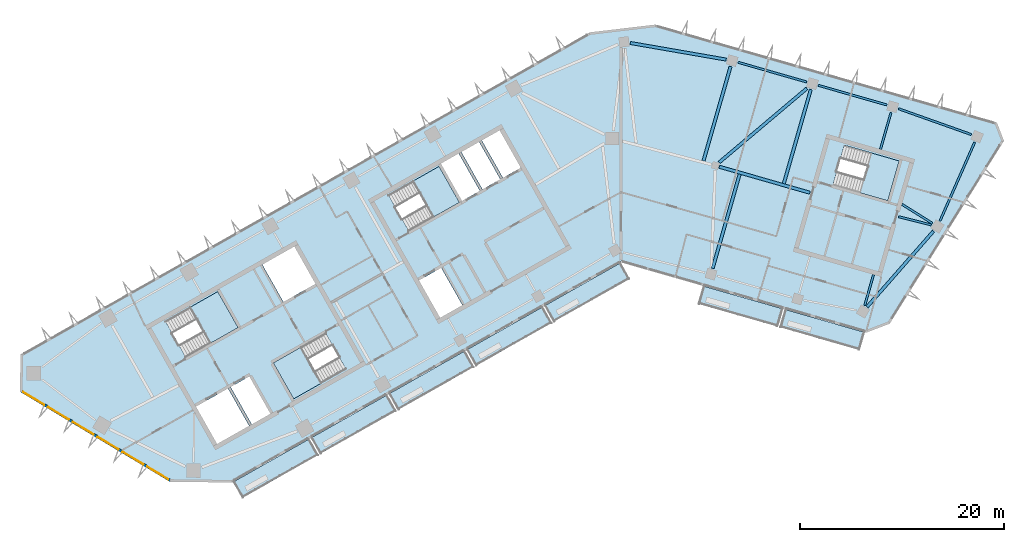
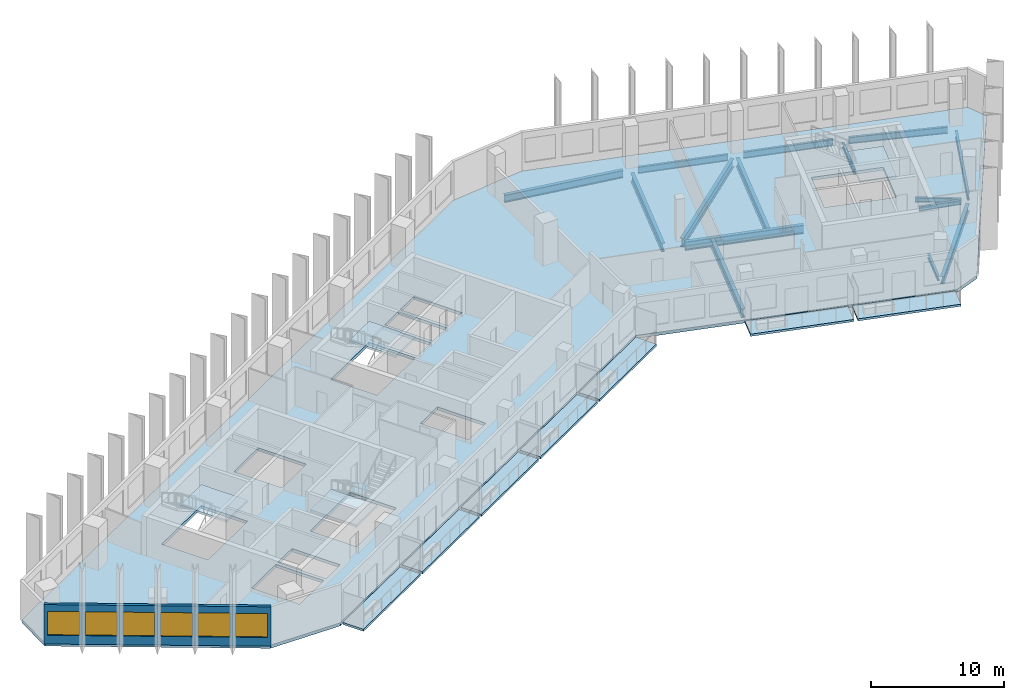
# One storey, part 2 of 11: 15 beams, 12 slabs, 6 windows, 1 wall, 6 openings, 4 elements without a shape of their own.
"""IFC4 building model written with IfcOpenShell, lengths in metres."""

from ifc_helpers import new_model, si_unit, direction, frame, frame_2d, origin, origin_2d, place, context, subcontext, project, spatial, polyline, rectangle, i_section, outline, extrude, material, layer, layer_set, material_profile, profile_set, type_object, element, fill, aggregate, save


model = new_model("IFC4")

# Units and contexts
model_context = context("Model", 3, precision=1e-05, world=origin(), true_north=direction((0.0, 1.0)))
body_context = subcontext(model_context, "Body", "Model", "MODEL_VIEW")
ifc_project = project(units=[si_unit("LENGTHUNIT", "METRE"), si_unit("AREAUNIT", "SQUARE_METRE"), si_unit("VOLUMEUNIT", "CUBIC_METRE"), si_unit("PLANEANGLEUNIT", "RADIAN"), si_unit("MASSUNIT", "GRAM", prefix="KILO")], contexts=[model_context])

# Site, building, storey
site_placement = place(None, origin())
site = spatial("IfcSite", under=ifc_project, at=site_placement, CompositionType="ELEMENT")
building_placement = place(site_placement, origin())
building = spatial("IfcBuilding", under=site, at=building_placement, Name="Binnacle Exchange Tower", CompositionType="ELEMENT")
storey_placement = place(building_placement, frame((0.0, 0.0, 207.5)))
storey = spatial("IfcBuildingStorey", under=building, at=storey_placement, Name="L45", CompositionType="ELEMENT", Elevation=207.5)

# Beams
ifc_material_1 = material(Name="Steel S355 (SHN355)", Category="steel")
ifc_material_profile_1 = material_profile(ifc_material_1, i_section(OverallWidth=0.199951171875, OverallDepth=0.60009765625, WebThickness=0.010986328125, FlangeThickness=0.01708984375, FilletRadius=0.02197265625, at=origin_2d()), Name="H 600x200x11x17")
ifc_profile_set_1 = profile_set([ifc_material_profile_1], Name="Steel S355 (SHN355)")
beam_type_1 = type_object("IfcBeamType", Name="Edge girder H 600x200x11x17 Steel S355 (SHN355)", PredefinedType="SPANDREL", material=ifc_profile_set_1)
for number, where, z_axis, x_axis, name in (
    (1, (18.16943359375, 65.54150390625, -0.580078125), (-0.961255274252, 0.275659749916, 0.0), (-0.275659749916, -0.961255274252, 0.0), "S:BM:edge:L45:029"),
    (2, (26.02587890625, 63.288818359375, -0.580078125), (-0.961267211469, 0.275618120149, 0.0), (-0.275618120149, -0.961267211469, 0.0), "S:BM:edge:L45:031"),
):
    element("IfcBeam", number, at=place(storey_placement, frame(where, z_axis=z_axis, x_axis=x_axis)), inside=storey, type_object=beam_type_1, Name=name, PredefinedType="SPANDREL", context=body_context, shape_type="SweptSolid", body=[
        extrude(i_section(OverallWidth=0.199951171875, OverallDepth=0.60009765625, WebThickness=0.010986328125, FlangeThickness=0.01708984375, FilletRadius=0.02197265625, at=origin_2d()), origin(), (0.0, 0.0, 1.0), 6.972900390625),
    ])
ifc_material_profile_2 = material_profile(ifc_material_1, i_section(OverallWidth=0.200927734375, OverallDepth=0.60595703125, WebThickness=0.011962890625, FlangeThickness=0.02001953125, FilletRadius=0.02197265625, at=origin_2d()), Name="H 606x201x12x20")
ifc_profile_set_2 = profile_set([ifc_material_profile_2], Name="Steel S355 (SHN355)")
beam_type_2 = type_object("IfcBeamType", Name="Edge girder H 606x201x12x20 Steel S355 (SHN355)", PredefinedType="SPANDREL", material=ifc_profile_set_2)
beam_1_placement = place(storey_placement, frame((34.30419921875, 60.38818359375, -0.5830078125), z_axis=(-0.942327723458, 0.334691591771, 0.0), x_axis=(-0.334691591771, -0.942327723458, 0.0)))
element("IfcBeam", 3, at=beam_1_placement, inside=storey, type_object=beam_type_2, Name="S:BM:edge:L45:033", PredefinedType="SPANDREL", context=body_context, shape_type="SweptSolid", body=[
    extrude(i_section(OverallWidth=0.200927734375, OverallDepth=0.60595703125, WebThickness=0.011962890625, FlangeThickness=0.02001953125, FilletRadius=0.02197265625, at=origin_2d()), origin(), (0.0, 0.0, 1.0), 7.57177734375),
])
ifc_material_profile_3 = material_profile(ifc_material_1, i_section(OverallWidth=0.201904296875, OverallDepth=0.612060546875, WebThickness=0.012939453125, FlangeThickness=0.02294921875, FilletRadius=0.02197265625, at=origin_2d()), Name="H 612x202x13x23")
ifc_profile_set_3 = profile_set([ifc_material_profile_3], Name="Steel S355 (SHN355)")
beam_type_3 = type_object("IfcBeamType", Name="Edge girder H 612x202x13x23 Steel S355 (SHN355)", PredefinedType="SPANDREL", material=ifc_profile_set_3)
beam_2_placement = place(storey_placement, frame((31.234130859375, 51.94091796875, -0.5859375), z_axis=(0.403470856186, 0.914992496258, 0.0), x_axis=(-0.914992496258, 0.403470856186, 0.0)))
element("IfcBeam", 4, at=beam_2_placement, inside=storey, type_object=beam_type_3, Name="S:BM:edge:L45:032", PredefinedType="SPANDREL", context=body_context, shape_type="SweptSolid", body=[
    extrude(i_section(OverallWidth=0.201904296875, OverallDepth=0.612060546875, WebThickness=0.012939453125, FlangeThickness=0.02294921875, FilletRadius=0.02197265625, at=origin_2d()), origin(), (0.0, 0.0, 1.0), 8.412109375),
])
ifc_material_profile_4 = material_profile(ifc_material_1, i_section(OverallWidth=0.300048828125, OverallDepth=0.699951171875, WebThickness=0.012939453125, FlangeThickness=0.02392578125, FilletRadius=0.028076171875, at=origin_2d()), Name="H 700x300x13x24")
ifc_profile_set_4 = profile_set([ifc_material_profile_4], Name="Steel S355 (SHN355)")
beam_type_4 = type_object("IfcBeamType", Name="Edge girder H 700x300x13x24 Steel S355 (SHN355)", PredefinedType="SPANDREL", material=ifc_profile_set_4)
beam_3_placement = place(storey_placement, frame((10.29541015625, 67.73193359375, -0.6298828125), z_axis=(-0.985309861954, 0.170776098841, 0.0), x_axis=(-0.170776098841, -0.985309861954, 0.0)))
element("IfcBeam", 5, at=beam_3_placement, inside=storey, type_object=beam_type_4, Name="S:BM:edge:L45:027", PredefinedType="SPANDREL", context=body_context, shape_type="SweptSolid", body=[
    extrude(i_section(OverallWidth=0.300048828125, OverallDepth=0.699951171875, WebThickness=0.012939453125, FlangeThickness=0.02392578125, FilletRadius=0.028076171875, at=origin_2d()), origin(), (0.0, 0.0, 1.0), 9.518310546875),
])
beam_4_placement = place(storey_placement, frame((24.09326171875, 43.5224609375, -0.6298828125), z_axis=(0.659335841855, 0.751848553663, 0.0), x_axis=(-0.751848553663, 0.659335841855, 0.0)))
element("IfcBeam", 6, at=beam_4_placement, inside=storey, type_object=beam_type_4, Name="S:BM:edge:L45:030", PredefinedType="SPANDREL", context=body_context, shape_type="SweptSolid", body=[
    extrude(i_section(OverallWidth=0.300048828125, OverallDepth=0.699951171875, WebThickness=0.012939453125, FlangeThickness=0.02392578125, FilletRadius=0.028076171875, at=origin_2d()), origin(), (0.0, 0.0, 1.0), 9.851318359375),
])
ifc_material_profile_5 = material_profile(ifc_material_1, i_section(OverallWidth=0.199951171875, OverallDepth=0.39990234375, WebThickness=0.008056640625, FlangeThickness=0.012939453125, FilletRadius=0.01611328125, at=origin_2d()), Name="H 400x200x8x13")
ifc_profile_set_5 = profile_set([ifc_material_profile_5], Name="Steel S355 (SHN355)")
beam_type_5 = type_object("IfcBeamType", Name="Floor beam H 400x200x8x13 Steel S355 (SHN355)", PredefinedType="BEAM", material=ifc_profile_set_5)
beam_5_placement = place(storey_placement, frame((23.860595703125, 43.6572265625, -0.47998046875), z_axis=(0.275637043779, 0.961261785414, 0.0), x_axis=(-0.961261785414, 0.275637043779, 0.0)))
element("IfcBeam", 7, at=beam_5_placement, inside=storey, type_object=beam_type_5, Name="S:BM:cross:L45:051", PredefinedType="BEAM", context=body_context, shape_type="SweptSolid", body=[
    extrude(i_section(OverallWidth=0.199951171875, OverallDepth=0.39990234375, WebThickness=0.008056640625, FlangeThickness=0.012939453125, FilletRadius=0.01611328125, at=origin_2d()), origin(), (0.0, 0.0, 1.0), 3.1328125),
])
beam_6_placement = place(storey_placement, frame((30.480712890625, 51.704345703125, -0.47998046875), z_axis=(-0.848084620748, 0.529860808186, 0.0), x_axis=(-0.529860808186, -0.848084620748, 0.0)))
element("IfcBeam", 8, at=beam_6_placement, inside=storey, type_object=beam_type_5, Name="S:BM:cross:L45:053", PredefinedType="BEAM", context=body_context, shape_type="SweptSolid", body=[
    extrude(i_section(OverallWidth=0.199951171875, OverallDepth=0.39990234375, WebThickness=0.008056640625, FlangeThickness=0.012939453125, FilletRadius=0.01611328125, at=origin_2d()), origin(), (0.0, 0.0, 1.0), 3.495361328125),
])
ifc_material_profile_6 = material_profile(ifc_material_1, i_section(OverallWidth=0.199951171875, OverallDepth=0.449951171875, WebThickness=0.009033203125, FlangeThickness=0.013916015625, FilletRadius=0.01806640625, at=origin_2d()), Name="H 450x200x9x14")
ifc_profile_set_6 = profile_set([ifc_material_profile_6], Name="Steel S355 (SHN355)")
beam_type_6 = type_object("IfcBeamType", Name="Floor beam H 450x200x9x14 Steel S355 (SHN355)", PredefinedType="BEAM", material=ifc_profile_set_6)
beam_7_placement = place(storey_placement, frame((26.437255859375, 62.546630859375, -0.5048828125), z_axis=(-0.275644746045, -0.961259576794, 0.0), x_axis=(0.961259576794, -0.275644746045, 0.0)))
element("IfcBeam", 9, at=beam_7_placement, inside=storey, type_object=beam_type_6, Name="S:BM:cross:L45:052", PredefinedType="BEAM", context=body_context, shape_type="SweptSolid", body=[
    extrude(i_section(OverallWidth=0.199951171875, OverallDepth=0.449951171875, WebThickness=0.009033203125, FlangeThickness=0.013916015625, FilletRadius=0.01806640625, at=origin_2d()), origin(), (0.0, 0.0, 1.0), 3.735107421875),
])
ifc_material_profile_7 = material_profile(ifc_material_1, i_section(OverallWidth=0.300048828125, OverallDepth=0.800048828125, WebThickness=0.013916015625, FlangeThickness=0.02587890625, FilletRadius=0.028076171875, at=origin_2d()), Name="H 800x300x14x26")
ifc_profile_set_7 = profile_set([ifc_material_profile_7], Name="Steel S355 (SHN355)")
beam_type_7 = type_object("IfcBeamType", Name="Floor beam H 800x300x14x26 Steel S355 (SHN355)", PredefinedType="BEAM", material=ifc_profile_set_7)
beam_8_placement = place(storey_placement, frame((8.974853515625, 47.299072265625, -0.679931640625), z_axis=(0.275642748758, 0.961260149521, 0.0), x_axis=(-0.961260149521, 0.275642748758, 0.0)))
element("IfcBeam", 10, at=beam_8_placement, inside=storey, type_object=beam_type_7, Name="S:BM:cross:L45:047", PredefinedType="BEAM", context=body_context, shape_type="SweptSolid", body=[
    extrude(i_section(OverallWidth=0.300048828125, OverallDepth=0.800048828125, WebThickness=0.013916015625, FlangeThickness=0.02587890625, FilletRadius=0.028076171875, at=origin_2d()), origin(), (0.0, 0.0, 1.0), 9.585205078125),
])
beam_9_placement = place(storey_placement, frame((10.724609375, 67.05224609375, -0.679931640625), z_axis=(-0.275623285325, -0.961265730475, 0.0), x_axis=(0.961265730475, -0.275623285325, 0.0)))
element("IfcBeam", 11, at=beam_9_placement, inside=storey, type_object=beam_type_7, Name="S:BM:cross:L45:048", PredefinedType="BEAM", context=body_context, shape_type="SweptSolid", body=[
    extrude(i_section(OverallWidth=0.300048828125, OverallDepth=0.800048828125, WebThickness=0.013916015625, FlangeThickness=0.02587890625, FilletRadius=0.028076171875, at=origin_2d()), origin(), (0.0, 0.0, 1.0), 9.61328125),
])
beam_10_placement = place(storey_placement, frame((18.580810546875, 64.79931640625, -0.679931640625), z_axis=(-0.275625961623, -0.961264963098, 0.0), x_axis=(0.961264963098, -0.275625961623, 0.0)))
element("IfcBeam", 12, at=beam_10_placement, inside=storey, type_object=beam_type_7, Name="S:BM:cross:L45:050", PredefinedType="BEAM", context=body_context, shape_type="SweptSolid", body=[
    extrude(i_section(OverallWidth=0.300048828125, OverallDepth=0.800048828125, WebThickness=0.013916015625, FlangeThickness=0.02587890625, FilletRadius=0.028076171875, at=origin_2d()), origin(), (0.0, 0.0, 1.0), 9.5849609375),
])
ifc_material_profile_8 = material_profile(ifc_material_1, i_section(OverallWidth=0.199951171875, OverallDepth=0.39990234375, WebThickness=0.008056640625, FlangeThickness=0.012939453125, FilletRadius=0.01611328125, at=origin_2d()), Name="H 400x200x8x13")
ifc_profile_set_8 = profile_set([ifc_material_profile_8], Name="Steel S355 (SHN355)")
beam_type_8 = type_object("IfcBeamType", Name="Spine girder H 400x200x8x13 Steel S355 (SHN355)", PredefinedType="BEAM", material=ifc_profile_set_8)
beam_11_placement = place(storey_placement, frame((27.17138671875, 52.35400390625, -0.47998046875), z_axis=(0.969342999561, -0.245711516217, 0.0), x_axis=(0.245711516217, 0.969342999561, 0.0)))
element("IfcBeam", 13, at=beam_11_placement, inside=storey, type_object=beam_type_8, Name="S:BM:spine:L45:010", PredefinedType="BEAM", context=body_context, shape_type="SweptSolid", body=[
    extrude(i_section(OverallWidth=0.199951171875, OverallDepth=0.39990234375, WebThickness=0.008056640625, FlangeThickness=0.012939453125, FilletRadius=0.01611328125, at=origin_2d()), origin(), (0.0, 0.0, 1.0), 3.30859375),
])
ifc_material_profile_9 = material_profile(ifc_material_1, i_section(OverallWidth=0.300048828125, OverallDepth=0.800048828125, WebThickness=0.013916015625, FlangeThickness=0.02587890625, FilletRadius=0.028076171875, at=origin_2d()), Name="H 800x300x14x26")
ifc_profile_set_9 = profile_set([ifc_material_profile_9], Name="Steel S355 (SHN355)")
beam_type_9 = type_object("IfcBeamType", Name="Spine girder H 800x300x14x26 Steel S355 (SHN355)", PredefinedType="BEAM", material=ifc_profile_set_9)
beam_12_placement = place(storey_placement, frame((9.62548828125, 57.239990234375, -0.679931640625), z_axis=(0.961259511383, -0.275644974153, 0.0), x_axis=(0.275644974153, 0.961259511383, 0.0)))
element("IfcBeam", 14, at=beam_12_placement, inside=storey, type_object=beam_type_9, Name="S:BM:spine:L45:009", PredefinedType="BEAM", context=body_context, shape_type="SweptSolid", body=[
    extrude(i_section(OverallWidth=0.300048828125, OverallDepth=0.800048828125, WebThickness=0.013916015625, FlangeThickness=0.02587890625, FilletRadius=0.028076171875, at=origin_2d()), origin(), (0.0, 0.0, 1.0), 9.213134765625),
])
ifc_material_profile_10 = material_profile(ifc_material_1, i_section(OverallWidth=0.302001953125, OverallDepth=0.80810546875, WebThickness=0.01611328125, FlangeThickness=0.030029296875, FilletRadius=0.028076171875, at=origin_2d()), Name="H 808x302x16x30")
ifc_profile_set_10 = profile_set([ifc_material_profile_10], Name="Steel S355 (SHN355)")
beam_type_10 = type_object("IfcBeamType", Name="Spine girder H 808x302x16x30 Steel S355 (SHN355)", PredefinedType="BEAM", material=ifc_profile_set_10)
beam_13_placement = place(storey_placement, frame((9.60888671875, 57.660888671875, -0.68408203125), z_axis=(0.764057522707, 0.645148124073, 0.0), x_axis=(-0.645148124073, 0.764057522707, 0.0)))
element("IfcBeam", 15, at=beam_13_placement, inside=storey, type_object=beam_type_10, Name="S:BM:spine:L45:008", PredefinedType="BEAM", context=body_context, shape_type="SweptSolid", body=[
    extrude(i_section(OverallWidth=0.302001953125, OverallDepth=0.80810546875, WebThickness=0.01611328125, FlangeThickness=0.030029296875, FilletRadius=0.028076171875, at=origin_2d()), origin(), (0.0, 0.0, 1.0), 11.237060546875),
])

# Slabs
ifc_material_2 = material(Name="Concrete C35/45", Category="concrete")
ifc_layer_1 = layer(ifc_material_2, 0.199951171875)
ifc_layer_set_1 = layer_set([ifc_layer_1], Name="BALCONY SLAB 200")
slab_type_1 = type_object("IfcSlabType", Name="BALCONY SLAB 200", PredefinedType="FLOOR", material=ifc_layer_set_1)
slab_1_placement = place(storey_placement, frame((0.0, 0.0, -0.199951171875)))
element("IfcSlab", 16, at=slab_1_placement, inside=storey, type_object=slab_type_1, Name="Balcony BA-G01-00 L45", PredefinedType="FLOOR", context=body_context, shape_type="SweptSolid", body=[
    extrude(outline(polyline([(-37.90576171875, 26.410400390625), (-30.54736328125, 30.573486328125), (-29.660888671875, 29.0068359375), (-37.019287109375, 24.84375), (-37.90576171875, 26.410400390625)])), origin(), (0.0, 0.0, 1.0), 0.199951171875),
])
slab_2_placement = place(storey_placement, frame((0.0, 0.0, -0.199951171875)))
element("IfcSlab", 17, at=slab_2_placement, inside=storey, type_object=slab_type_1, Name="Balcony BA-G01-01 L45", PredefinedType="FLOOR", context=body_context, shape_type="SweptSolid", body=[
    extrude(outline(polyline([(-30.2861328125, 30.72119140625), (-22.927734375, 34.884521484375), (-22.041259765625, 33.31787109375), (-29.39990234375, 29.15478515625), (-30.2861328125, 30.72119140625)])), origin(), (0.0, 0.0, 1.0), 0.199951171875),
])
slab_3_placement = place(storey_placement, frame((0.0, 0.0, -0.199951171875)))
element("IfcSlab", 18, at=slab_3_placement, inside=storey, type_object=slab_type_1, Name="Balcony BA-G01-02 L45", PredefinedType="FLOOR", context=body_context, shape_type="SweptSolid", body=[
    extrude(outline(polyline([(-22.66650390625, 35.0322265625), (-15.30810546875, 39.195556640625), (-14.421875, 37.62890625), (-21.7802734375, 33.465576171875), (-22.66650390625, 35.0322265625)])), origin(), (0.0, 0.0, 1.0), 0.199951171875),
])
slab_4_placement = place(storey_placement, frame((0.0, 0.0, -0.199951171875)))
element("IfcSlab", 19, at=slab_4_placement, inside=storey, type_object=slab_type_1, Name="Balcony BA-G01-03 L45", PredefinedType="FLOOR", context=body_context, shape_type="SweptSolid", body=[
    extrude(outline(polyline([(-15.047119140625, 39.34326171875), (-7.6884765625, 43.50634765625), (-6.802001953125, 41.939697265625), (-14.16064453125, 37.776611328125), (-15.047119140625, 39.34326171875)])), origin(), (0.0, 0.0, 1.0), 0.199951171875),
])
slab_5_placement = place(storey_placement, frame((0.0, 0.0, -0.199951171875)))
element("IfcSlab", 20, at=slab_5_placement, inside=storey, type_object=slab_type_1, Name="Balcony BA-G01-04 L45", PredefinedType="FLOOR", context=body_context, shape_type="SweptSolid", body=[
    extrude(outline(polyline([(-7.427490234375, 43.654296875), (-0.069091796875, 47.8173828125), (0.8173828125, 46.250732421875), (-6.541015625, 42.08740234375), (-7.427490234375, 43.654296875)])), origin(), (0.0, 0.0, 1.0), 0.199951171875),
])
slab_6_placement = place(storey_placement, frame((0.0, 0.0, -0.199951171875)))
element("IfcSlab", 21, at=slab_6_placement, inside=storey, type_object=slab_type_1, Name="Balcony BA-G02-01 L45", PredefinedType="FLOOR", context=body_context, shape_type="SweptSolid", body=[
    extrude(outline(polyline([(8.10791015625, 45.545166015625), (15.8173828125, 43.33447265625), (15.3212890625, 41.60400390625), (7.61181640625, 43.814697265625), (8.10791015625, 45.545166015625)])), origin(), (0.0, 0.0, 1.0), 0.199951171875),
])
slab_7_placement = place(storey_placement, frame((0.0, 0.0, -0.199951171875)))
element("IfcSlab", 22, at=slab_7_placement, inside=storey, type_object=slab_type_1, Name="Balcony BA-G02-02 L45", PredefinedType="FLOOR", context=body_context, shape_type="SweptSolid", body=[
    extrude(outline(polyline([(16.10595703125, 43.251708984375), (23.815673828125, 41.041015625), (23.319580078125, 39.310791015625), (15.60986328125, 41.521484375), (16.10595703125, 43.251708984375)])), origin(), (0.0, 0.0, 1.0), 0.199951171875),
])
ifc_layer_2 = layer(ifc_material_2, 0.280029296875)
ifc_layer_set_2 = layer_set([ifc_layer_2], Name="Floor slab 280 Concrete C35/45")
slab_type_2 = type_object("IfcSlabType", Name="Floor slab 280 Concrete C35/45", PredefinedType="FLOOR", material=ifc_layer_set_2)
slab_8_placement = place(storey_placement, frame((0.0, 0.0, -0.280029296875)))
element("IfcSlab", 23, at=slab_8_placement, inside=storey, type_object=slab_type_2, Name="S:SL:L45:01", PredefinedType="FLOOR", context=body_context, shape_type="SweptSolid", body=[
    extrude(outline(polyline([(-58.716064453125, 35.280029296875), (-58.669921875, 38.80615234375), (-3.046142578125, 70.276611328125), (3.364501953125, 71.035400390625), (36.71240234375, 61.472900390625), (37.359375, 59.787353515625), (26.23095703125, 41.978515625), (23.994140625, 41.119873046875), (0.0, 48.0), (-38.097900390625, 26.4453125), (-44.14404296875, 26.5244140625), (-58.716064453125, 35.280029296875)]), holes=[polyline([(-38.4794921875, 35.529296875), (-41.61279296875, 33.756591796875), (-39.544677734375, 30.10107421875), (-36.411376953125, 31.873779296875), (-38.4794921875, 35.529296875)]), polyline([(-36.390625, 36.711181640625), (-38.21826171875, 35.677001953125), (-36.150146484375, 32.021484375), (-34.322509765625, 33.0556640625), (-36.390625, 36.711181640625)]), polyline([(-32.04638671875, 34.515625), (-26.9287109375, 37.4111328125), (-28.923095703125, 40.93603515625), (-34.040771484375, 38.04052734375), (-32.04638671875, 34.515625)]), polyline([(-37.486572265625, 41.4912109375), (-39.480712890625, 45.01611328125), (-44.598388671875, 42.12060546875), (-42.604248046875, 38.595703125), (-37.486572265625, 41.4912109375)]), polyline([(-29.914306640625, 45.775390625), (-31.982666015625, 49.430908203125), (-35.115966796875, 47.657958984375), (-33.047607421875, 44.00244140625), (-29.914306640625, 45.775390625)]), polyline([(-17.81689453125, 57.27294921875), (-22.760498046875, 54.47607421875), (-20.76611328125, 50.950927734375), (-15.822509765625, 53.748046875), (-17.81689453125, 57.27294921875)]), polyline([(-15.53076171875, 43.6875), (-17.598876953125, 47.343017578125), (-19.77490234375, 46.11181640625), (-17.70654296875, 42.456298828125), (-15.53076171875, 43.6875)]), polyline([(-13.82080078125, 54.880615234375), (-15.888916015625, 58.5361328125), (-17.629638671875, 57.55126953125), (-15.5615234375, 53.895751953125), (-13.82080078125, 54.880615234375)]), polyline([(27.227783203125, 57.810302734375), (21.864013671875, 59.348388671875), (20.74755859375, 55.455078125), (26.111328125, 53.9169921875), (27.227783203125, 57.810302734375)]), polyline([(-11.819091796875, 56.01318359375), (-13.88720703125, 59.668701171875), (-15.6279296875, 58.683837890625), (-13.559814453125, 55.0283203125), (-11.819091796875, 56.01318359375)]), polyline([(-9.817138671875, 57.145751953125), (-11.885498046875, 60.80126953125), (-13.626220703125, 59.81640625), (-11.557861328125, 56.160888671875), (-9.817138671875, 57.145751953125)])]), origin(), (0.0, 0.0, 1.0), 0.280029296875),
])

# Stair, slab
stair_type = type_object("IfcStairType", Name="STAIR 22 RISERS 177", PredefinedType="HALF_TURN_STAIR", material=ifc_material_2)
stair_1_placement = place(storey_placement, origin())
stair_1 = element("IfcStair", 24, at=stair_1_placement, inside=storey, type_object=stair_type, Name="L45 Escape stair A1", PredefinedType="HALF_TURN_STAIR")
ifc_layer_3 = layer(ifc_material_2, 0.199951171875)
ifc_layer_set_3 = layer_set([ifc_layer_3], Name="STAIR LANDING 200")
slab_type_3 = type_object("IfcSlabType", Name="STAIR LANDING 200", PredefinedType="LANDING", material=ifc_layer_set_3)
slab_9_placement = place(storey_placement, frame((0.0, 0.0, 1.75)))
slab_9 = element("IfcSlab", 25, at=slab_9_placement, type_object=slab_type_3, Name="STA1 landing 1", PredefinedType="LANDING", context=body_context, shape_type="SweptSolid", body=[
    extrude(outline(polyline([(-40.2021484375, 39.954833984375), (-37.486572265625, 41.4912109375), (-39.48095703125, 45.01611328125), (-42.1962890625, 43.479736328125), (-40.2021484375, 39.954833984375)])), origin(), (0.0, 0.0, 1.0), 0.199951171875),
])
aggregate(stair_1, [slab_9])

stair_2_placement = place(storey_placement, origin())
stair_2 = element("IfcStair", 26, at=stair_2_placement, inside=storey, type_object=stair_type, Name="L45 Escape stair A2", PredefinedType="HALF_TURN_STAIR")
slab_10_placement = place(storey_placement, frame((0.0, 0.0, 1.75)))
slab_10 = element("IfcSlab", 27, at=slab_10_placement, type_object=slab_type_3, Name="STA2 landing 1", PredefinedType="LANDING", context=body_context, shape_type="SweptSolid", body=[
    extrude(outline(polyline([(-31.3251953125, 39.576904296875), (-34.040771484375, 38.04052734375), (-32.04638671875, 34.515625), (-29.330810546875, 36.052001953125), (-31.3251953125, 39.576904296875)])), origin(), (0.0, 0.0, 1.0), 0.199951171875),
])
aggregate(stair_2, [slab_10])

stair_3_placement = place(storey_placement, origin())
stair_3 = element("IfcStair", 28, at=stair_3_placement, inside=storey, type_object=stair_type, Name="L45 Escape stair C1", PredefinedType="HALF_TURN_STAIR")
slab_11_placement = place(storey_placement, frame((0.0, 0.0, 1.75)))
slab_11 = element("IfcSlab", 29, at=slab_11_placement, type_object=slab_type_3, Name="STC1 landing 1", PredefinedType="LANDING", context=body_context, shape_type="SweptSolid", body=[
    extrude(outline(polyline([(-18.364013671875, 52.31005859375), (-15.822509765625, 53.748046875), (-17.81689453125, 57.27294921875), (-20.3583984375, 55.8349609375), (-18.364013671875, 52.31005859375)])), origin(), (0.0, 0.0, 1.0), 0.199951171875),
])
aggregate(stair_3, [slab_11])

stair_4_placement = place(storey_placement, origin())
stair_4 = element("IfcStair", 30, at=stair_4_placement, inside=storey, type_object=stair_type, Name="L45 Escape stair D1", PredefinedType="HALF_TURN_STAIR")
slab_12_placement = place(storey_placement, frame((0.0, 0.0, 1.75)))
slab_12 = element("IfcSlab", 31, at=slab_12_placement, type_object=slab_type_3, Name="STD1 landing 1", PredefinedType="LANDING", context=body_context, shape_type="SweptSolid", body=[
    extrude(outline(polyline([(23.400634765625, 54.6943359375), (26.111328125, 53.917236328125), (27.227783203125, 57.810302734375), (24.516845703125, 58.587646484375), (23.400634765625, 54.6943359375)])), origin(), (0.0, 0.0, 1.0), 0.199951171875),
])
aggregate(stair_4, [slab_12])

# Wall, openings, windows
ifc_material_3 = material(Name="Bronze aluminium cladding", Category="aluminium")
ifc_layer_4 = layer(ifc_material_3, 0.25)
ifc_layer_set_4 = layer_set([ifc_layer_4], Name="External wall - window wall 250")
wall_type = type_object("IfcWallType", Name="External wall - window wall 250", PredefinedType="STANDARD", material=ifc_layer_set_4)
wall_placement = place(storey_placement, frame((-44.115234375, 26.507080078125, 0.0), z_axis=(0.0, 0.0, 1.0), x_axis=(-0.857166583633, 0.515039268311, 0.0)))
wall = element("IfcWall", 32, at=wall_placement, inside=storey, type_object=wall_type, Name="External wall EW-G10 L45", PredefinedType="STANDARD", context=body_context, shape_type="SweptSolid", body=[
    extrude(rectangle(XDim=17.105712890625, YDim=0.25, at=frame_2d((8.552734375, 0.0))), origin(), (0.0, 0.0, 1.0), 3.6201171875),
])
opening_1_placement = place(wall_placement, frame((14.4169921875, 0.0, 0.800048828125)))
opening_1 = element("IfcOpeningElement", 33, at=opening_1_placement, cuts=wall, Name="Opening WR1", PredefinedType="OPENING", context=body_context, shape_type="SweptSolid", body=[
    extrude(rectangle(XDim=2.39990234375, YDim=2.199951171875, at=frame_2d((1.199951171875, 1.10009765625))), frame((0.0, 0.135009765625, 0.0), z_axis=(0.0, -1.0, 0.0), x_axis=(1.0, 0.0, 0.0)), (0.0, 0.0, 1.0), 0.27001953125),
])
opening_2_placement = place(wall_placement, frame((11.583740234375, 0.0, 0.800048828125)))
opening_2 = element("IfcOpeningElement", 34, at=opening_2_placement, cuts=wall, Name="Opening WR1", PredefinedType="OPENING", context=body_context, shape_type="SweptSolid", body=[
    extrude(rectangle(XDim=2.39990234375, YDim=2.199951171875, at=frame_2d((1.199951171875, 1.10009765625))), frame((0.0, 0.135009765625, 0.0), z_axis=(0.0, -1.0, 0.0), x_axis=(1.0, 0.0, 0.0)), (0.0, 0.0, 1.0), 0.27001953125),
])
opening_3_placement = place(wall_placement, frame((8.75048828125, 0.0, 0.800048828125)))
opening_3 = element("IfcOpeningElement", 35, at=opening_3_placement, cuts=wall, Name="Opening WR1", PredefinedType="OPENING", context=body_context, shape_type="SweptSolid", body=[
    extrude(rectangle(XDim=2.39990234375, YDim=2.199951171875, at=frame_2d((1.199951171875, 1.10009765625))), frame((0.0, 0.135009765625, 0.0), z_axis=(0.0, -1.0, 0.0), x_axis=(1.0, 0.0, 0.0)), (0.0, 0.0, 1.0), 0.27001953125),
])
opening_4_placement = place(wall_placement, frame((5.9169921875, 0.0, 0.800048828125)))
opening_4 = element("IfcOpeningElement", 36, at=opening_4_placement, cuts=wall, Name="Opening WR1", PredefinedType="OPENING", context=body_context, shape_type="SweptSolid", body=[
    extrude(rectangle(XDim=2.39990234375, YDim=2.199951171875, at=frame_2d((1.199951171875, 1.10009765625))), frame((0.0, 0.135009765625, 0.0), z_axis=(0.0, -1.0, 0.0), x_axis=(1.0, 0.0, 0.0)), (0.0, 0.0, 1.0), 0.27001953125),
])
opening_5_placement = place(wall_placement, frame((3.083740234375, 0.0, 0.800048828125)))
opening_5 = element("IfcOpeningElement", 37, at=opening_5_placement, cuts=wall, Name="Opening WR1", PredefinedType="OPENING", context=body_context, shape_type="SweptSolid", body=[
    extrude(rectangle(XDim=2.39990234375, YDim=2.199951171875, at=frame_2d((1.199951171875, 1.10009765625))), frame((0.0, 0.135009765625, 0.0), z_axis=(0.0, -1.0, 0.0), x_axis=(1.0, 0.0, 0.0)), (0.0, 0.0, 1.0), 0.27001953125),
])
opening_6_placement = place(wall_placement, frame((0.25048828125, 0.0, 0.800048828125)))
opening_6 = element("IfcOpeningElement", 38, at=opening_6_placement, cuts=wall, Name="Opening WR1", PredefinedType="OPENING", context=body_context, shape_type="SweptSolid", body=[
    extrude(rectangle(XDim=2.39990234375, YDim=2.199951171875, at=frame_2d((1.199951171875, 1.10009765625))), frame((0.0, 0.135009765625, 0.0), z_axis=(0.0, -1.0, 0.0), x_axis=(1.0, 0.0, 0.0)), (0.0, 0.0, 1.0), 0.27001953125),
])
ifc_material_4 = material(Name="Bronze anodised aluminium frame", Category="aluminium")
window_type = type_object("IfcWindowType", Name="WR1 WINDOW 2400x2200", PartitioningType="SINGLE_PANEL", PredefinedType="WINDOW", material=ifc_material_4)
window_1_placement = place(opening_1_placement, origin())
window_1 = element("IfcWindow", 39, at=window_1_placement, inside=storey, type_object=window_type, Name="Window WR1 L45", OverallHeight=2.199951171875, OverallWidth=2.39990234375, PartitioningType="SINGLE_PANEL", PredefinedType="WINDOW", context=body_context, shape_type="SweptSolid", body=[
    extrude(rectangle(XDim=2.39990234375, YDim=2.199951171875, at=frame_2d((1.199951171875, 1.10009765625))), frame((0.0, 0.030029296875, 0.0), z_axis=(0.0, -1.0, 0.0), x_axis=(1.0, 0.0, 0.0)), (0.0, 0.0, 1.0), 0.06005859375),
])
fill(opening_1, window_1)
window_2_placement = place(opening_2_placement, origin())
window_2 = element("IfcWindow", 40, at=window_2_placement, inside=storey, type_object=window_type, Name="Window WR1 L45", OverallHeight=2.199951171875, OverallWidth=2.39990234375, PartitioningType="SINGLE_PANEL", PredefinedType="WINDOW", context=body_context, shape_type="SweptSolid", body=[
    extrude(rectangle(XDim=2.39990234375, YDim=2.199951171875, at=frame_2d((1.199951171875, 1.10009765625))), frame((0.0, 0.030029296875, 0.0), z_axis=(0.0, -1.0, 0.0), x_axis=(1.0, 0.0, 0.0)), (0.0, 0.0, 1.0), 0.06005859375),
])
fill(opening_2, window_2)
window_3_placement = place(opening_3_placement, origin())
window_3 = element("IfcWindow", 41, at=window_3_placement, inside=storey, type_object=window_type, Name="Window WR1 L45", OverallHeight=2.199951171875, OverallWidth=2.39990234375, PartitioningType="SINGLE_PANEL", PredefinedType="WINDOW", context=body_context, shape_type="SweptSolid", body=[
    extrude(rectangle(XDim=2.39990234375, YDim=2.199951171875, at=frame_2d((1.199951171875, 1.10009765625))), frame((0.0, 0.030029296875, 0.0), z_axis=(0.0, -1.0, 0.0), x_axis=(1.0, 0.0, 0.0)), (0.0, 0.0, 1.0), 0.06005859375),
])
fill(opening_3, window_3)
window_4_placement = place(opening_4_placement, origin())
window_4 = element("IfcWindow", 42, at=window_4_placement, inside=storey, type_object=window_type, Name="Window WR1 L45", OverallHeight=2.199951171875, OverallWidth=2.39990234375, PartitioningType="SINGLE_PANEL", PredefinedType="WINDOW", context=body_context, shape_type="SweptSolid", body=[
    extrude(rectangle(XDim=2.39990234375, YDim=2.199951171875, at=frame_2d((1.199951171875, 1.10009765625))), frame((0.0, 0.030029296875, 0.0), z_axis=(0.0, -1.0, 0.0), x_axis=(1.0, 0.0, 0.0)), (0.0, 0.0, 1.0), 0.06005859375),
])
fill(opening_4, window_4)
window_5_placement = place(opening_5_placement, origin())
window_5 = element("IfcWindow", 43, at=window_5_placement, inside=storey, type_object=window_type, Name="Window WR1 L45", OverallHeight=2.199951171875, OverallWidth=2.39990234375, PartitioningType="SINGLE_PANEL", PredefinedType="WINDOW", context=body_context, shape_type="SweptSolid", body=[
    extrude(rectangle(XDim=2.39990234375, YDim=2.199951171875, at=frame_2d((1.199951171875, 1.10009765625))), frame((0.0, 0.030029296875, 0.0), z_axis=(0.0, -1.0, 0.0), x_axis=(1.0, 0.0, 0.0)), (0.0, 0.0, 1.0), 0.06005859375),
])
fill(opening_5, window_5)
window_6_placement = place(opening_6_placement, origin())
window_6 = element("IfcWindow", 44, at=window_6_placement, inside=storey, type_object=window_type, Name="Window WR1 L45", OverallHeight=2.199951171875, OverallWidth=2.39990234375, PartitioningType="SINGLE_PANEL", PredefinedType="WINDOW", context=body_context, shape_type="SweptSolid", body=[
    extrude(rectangle(XDim=2.39990234375, YDim=2.199951171875, at=frame_2d((1.199951171875, 1.10009765625))), frame((0.0, 0.030029296875, 0.0), z_axis=(0.0, -1.0, 0.0), x_axis=(1.0, 0.0, 0.0)), (0.0, 0.0, 1.0), 0.06005859375),
])
fill(opening_6, window_6)

save(model, "model.ifc")
